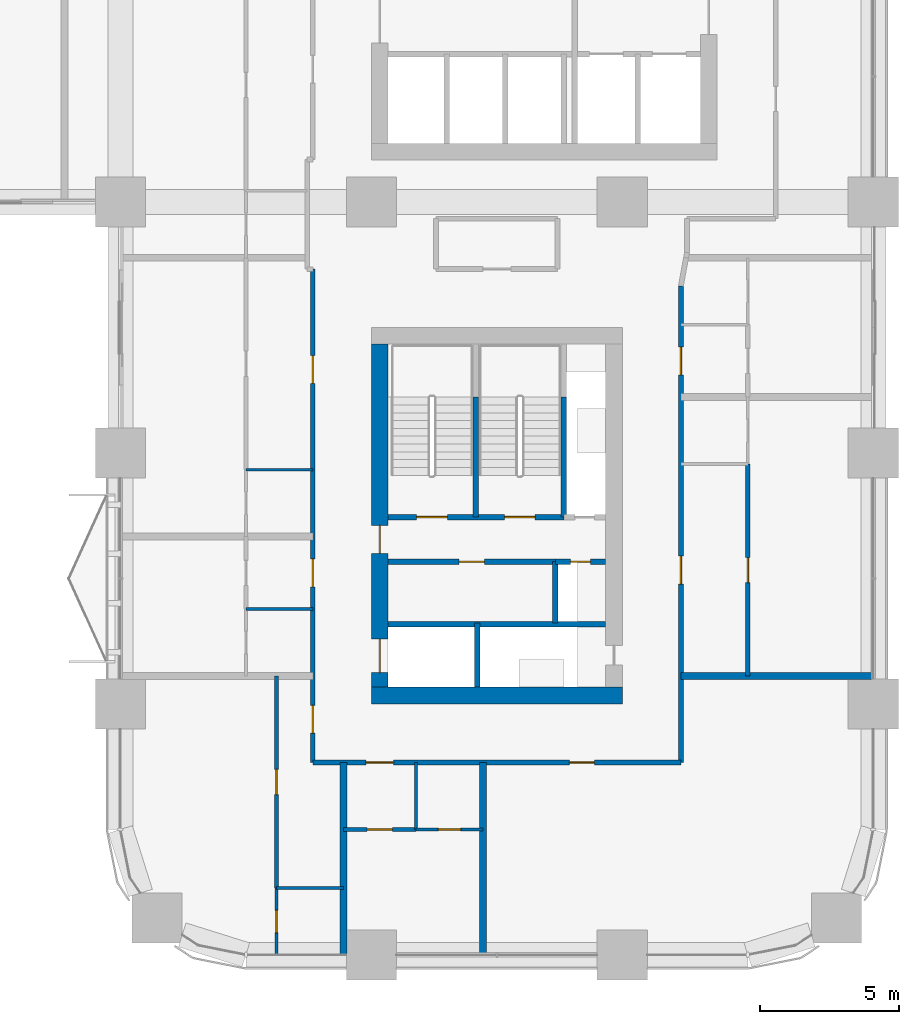
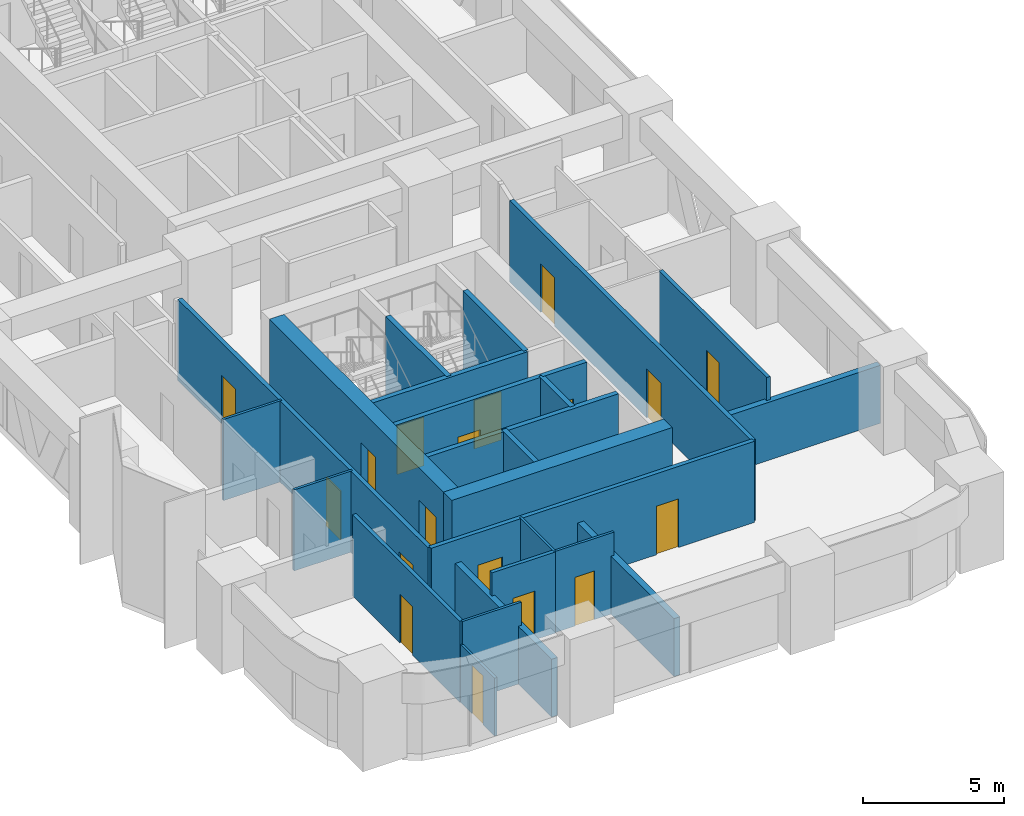
# One storey, part 13 of 19: 25 walls, 18 doors, 18 openings.
"""IFC4 building model written with IfcOpenShell, lengths in metres."""

from ifc_helpers import new_model, si_unit, direction, frame, frame_2d, origin, place, context, subcontext, project, spatial, rectangle, extrude, material, layer, layer_set, type_object, element, fill, save


model = new_model("IFC4")

# Units and contexts
model_context = context("Model", 3, precision=1e-05, world=origin(), true_north=direction((0.0, 1.0)))
body_context = subcontext(model_context, "Body", "Model", "MODEL_VIEW")
ifc_project = project(units=[si_unit("LENGTHUNIT", "METRE"), si_unit("AREAUNIT", "SQUARE_METRE"), si_unit("VOLUMEUNIT", "CUBIC_METRE"), si_unit("PLANEANGLEUNIT", "RADIAN"), si_unit("MASSUNIT", "GRAM", prefix="KILO")], contexts=[model_context])

# Site, building, storey
site_placement = place(None, origin())
site = spatial("IfcSite", under=ifc_project, at=site_placement, CompositionType="ELEMENT")
building_placement = place(site_placement, origin())
building = spatial("IfcBuilding", under=site, at=building_placement, Name="Tessera Arch", CompositionType="ELEMENT")
storey_placement = place(building_placement, frame((0.0, 0.0, 85.39990234375)))
storey = spatial("IfcBuildingStorey", under=building, at=storey_placement, Name="L19", CompositionType="ELEMENT", Elevation=85.39990234375)

# Wall, opening, door
ifc_material_1 = material(Name="Gypsum board on steel stud", Category="steel")
ifc_layer_1 = layer(ifc_material_1, 0.125)
ifc_layer_set_1 = layer_set([ifc_layer_1], Name="Core partition 125 EI 60")
wall_type_1 = type_object("IfcWallType", Name="Core partition 125 EI 60", PredefinedType="PARTITIONING", material=ifc_layer_set_1)
wall_1_placement = place(storey_placement, frame((36.60009765625, 14.10009765625, 0.0), z_axis=(0.0, 0.0, 1.0), x_axis=(1.0, 0.0, 0.0)))
wall_1 = element("IfcWall", 1, at=wall_1_placement, inside=storey, type_object=wall_type_1, Name="L19 C3 partition wall 8", PredefinedType="PARTITIONING", context=body_context, shape_type="SweptSolid", body=[
    extrude(rectangle(XDim=6.0, YDim=0.199951171875, at=frame_2d((3.0, 0.0))), origin(), (0.0, 0.0, 1.0), 3.5),
])
opening_1_placement = place(wall_1_placement, frame((2.550048828125, 0.0, 0.0)))
opening_1 = element("IfcOpeningElement", 2, at=opening_1_placement, cuts=wall_1, Name="Opening L19-C40", PredefinedType="OPENING", context=body_context, shape_type="SweptSolid", body=[
    extrude(rectangle(XDim=0.89990234375, YDim=2.10009765625, at=frame_2d((0.449951171875, 1.050048828125))), frame((0.0, 0.10986328125, 0.0), z_axis=(0.0, -1.0, 0.0), x_axis=(1.0, 0.0, 0.0)), (0.0, 0.0, 1.0), 0.219970703125),
])
ifc_material_2 = material(Name="Steel door leaf", Category="steel")
door_type_1 = type_object("IfcDoorType", Name="Store door FD30S 900 x 2100", OperationType="SINGLE_SWING_LEFT", PredefinedType="DOOR", material=ifc_material_2)
door_1_placement = place(opening_1_placement, origin())
door_1 = element("IfcDoor", 3, at=door_1_placement, inside=storey, type_object=door_type_1, Name="L19 C3 door 8 C40 type D09", OperationType="SINGLE_SWING_LEFT", OverallHeight=2.10009765625, OverallWidth=0.89990234375, PredefinedType="DOOR", context=body_context, shape_type="SweptSolid", body=[
    extrude(rectangle(XDim=0.89990234375, YDim=2.10009765625, at=frame_2d((0.449951171875, 1.050048828125))), frame((0.0, 0.02490234375, 0.0), z_axis=(0.0, -1.0, 0.0), x_axis=(1.0, 0.0, 0.0)), (0.0, 0.0, 1.0), 0.050048828125),
])
fill(opening_1, door_1)

# Wall
ifc_material_3 = material(Name="Concrete C70/85", Category="concrete")
ifc_layer_2 = layer(ifc_material_3, 0.60009765625)
ifc_layer_set_2 = layer_set([ifc_layer_2], Name="Core shell wall 600 C70-85")
wall_type_2 = type_object("IfcWallType", Name="Core shell wall 600 C70-85", PredefinedType="SHEAR", material=ifc_layer_set_2)
wall_2_placement = place(storey_placement, frame((36.0, 9.300048828125, 0.0), z_axis=(0.0, 0.0, 1.0), x_axis=(1.0, 0.0, 0.0)))
element("IfcWall", 4, at=wall_2_placement, inside=storey, type_object=wall_type_2, Name="L19 C3 core wall S", PredefinedType="SHEAR", context=body_context, shape_type="SweptSolid", body=[
    extrude(rectangle(XDim=9.0, YDim=0.60009765625, at=frame_2d((4.5, 0.0))), origin(), (0.0, 0.0, 1.0), 3.5),
])

# Wall, openings, doors
wall_3_placement = place(storey_placement, frame((36.300048828125, 9.60009765625, 0.0), z_axis=(0.0, 0.0, 1.0), x_axis=(0.0, 1.0, 0.0)))
wall_3 = element("IfcWall", 5, at=wall_3_placement, inside=storey, type_object=wall_type_2, Name="L19 C3 core wall W", PredefinedType="SHEAR", context=body_context, shape_type="SweptSolid", body=[
    extrude(rectangle(XDim=12.2998046875, YDim=0.60009765625, at=frame_2d((6.14990234375, 0.0))), origin(), (0.0, 0.0, 1.0), 3.5),
])
opening_2_placement = place(wall_3_placement, frame((0.52490234375, 0.0, 0.0)))
opening_2 = element("IfcOpeningElement", 6, at=opening_2_placement, cuts=wall_3, Name="Opening L19-C33", PredefinedType="OPENING", context=body_context, shape_type="SweptSolid", body=[
    extrude(rectangle(XDim=1.199951171875, YDim=2.10009765625, at=frame_2d((0.60009765625, 1.050048828125))), frame((0.0, 0.31005859375, 0.0), z_axis=(0.0, -1.0, 0.0), x_axis=(1.0, 0.0, 0.0)), (0.0, 0.0, 1.0), 0.6201171875),
])
opening_3_placement = place(wall_3_placement, frame((4.800048828125, 0.0, 0.0)))
opening_3 = element("IfcOpeningElement", 7, at=opening_3_placement, cuts=wall_3, Name="Opening L19-C39", PredefinedType="OPENING", context=body_context, shape_type="SweptSolid", body=[
    extrude(rectangle(XDim=1.0, YDim=2.10009765625, at=frame_2d((0.5, 1.050048828125))), frame((0.0, 0.31005859375, 0.0), z_axis=(0.0, -1.0, 0.0), x_axis=(1.0, 0.0, 0.0)), (0.0, 0.0, 1.0), 0.6201171875),
])
ifc_material_4 = material(Name="Steel door leaf", Category="steel")
door_type_2 = type_object("IfcDoorType", Name="Corridor door FD60 1000 x 2100", OperationType="SINGLE_SWING_LEFT", PredefinedType="DOOR", material=ifc_material_4)
door_2_placement = place(opening_3_placement, origin())
door_2 = element("IfcDoor", 8, at=door_2_placement, inside=storey, type_object=door_type_2, Name="L19 C3 door 7 C39 type D12", OperationType="SINGLE_SWING_LEFT", OverallHeight=2.10009765625, OverallWidth=1.0, PredefinedType="DOOR", context=body_context, shape_type="SweptSolid", body=[
    extrude(rectangle(XDim=1.0, YDim=2.10009765625, at=frame_2d((0.5, 1.050048828125))), frame((0.0, 0.02490234375, 0.0), z_axis=(0.0, -1.0, 0.0), x_axis=(1.0, 0.0, 0.0)), (0.0, 0.0, 1.0), 0.050048828125),
])
fill(opening_3, door_2)
ifc_material_5 = material(Name="Stainless steel AISI 304", Category="steel")
door_type_3 = type_object("IfcDoorType", Name="Sliding landing door 1200 x 2100", OperationType="SLIDING_TO_LEFT", PredefinedType="DOOR", material=ifc_material_5)
door_3_placement = place(opening_2_placement, origin())
door_3 = element("IfcDoor", 9, at=door_3_placement, inside=storey, type_object=door_type_3, Name="L19 SV1 lift landing door C33 type LD", OperationType="SLIDING_TO_LEFT", OverallHeight=2.10009765625, OverallWidth=1.199951171875, PredefinedType="DOOR", context=body_context, shape_type="SweptSolid", body=[
    extrude(rectangle(XDim=1.199951171875, YDim=2.10009765625, at=frame_2d((0.60009765625, 1.050048828125))), frame((0.0, 0.02490234375, 0.0), z_axis=(0.0, -1.0, 0.0), x_axis=(1.0, 0.0, 0.0)), (0.0, 0.0, 1.0), 0.050048828125),
])
fill(opening_2, door_3)

ifc_material_6 = material(Name="Gypsum board on deep steel stud with mineral wool", Category="steel")
ifc_layer_3 = layer(ifc_material_6, 0.175048828125)
ifc_layer_set_3 = layer_set([ifc_layer_3], Name="Corridor wall 175 EI 60")
wall_type_3 = type_object("IfcWallType", Name="Corridor wall 175 EI 60", PredefinedType="PARTITIONING", material=ifc_layer_set_3)
wall_4_placement = place(storey_placement, frame((33.89990234375, 6.89990234375, 0.0), z_axis=(0.0, 0.0, 1.0), x_axis=(1.0, 0.0, 0.0)))
wall_4 = element("IfcWall", 10, at=wall_4_placement, inside=storey, type_object=wall_type_3, Name="L19 partition 1", PredefinedType="PARTITIONING", context=body_context, shape_type="SweptSolid", body=[
    extrude(rectangle(XDim=13.2001953125, YDim=0.175048828125, at=frame_2d((6.60009765625, 0.0))), origin(), (0.0, 0.0, 1.0), 3.5),
])
opening_4_placement = place(wall_4_placement, frame((1.89990234375, 0.0, 0.0)))
opening_4 = element("IfcOpeningElement", 11, at=opening_4_placement, cuts=wall_4, Name="Opening L19-D001", PredefinedType="OPENING", context=body_context, shape_type="SweptSolid", body=[
    extrude(rectangle(XDim=1.0, YDim=2.10009765625, at=frame_2d((0.5, 1.050048828125))), frame((0.0, 0.097412109375, 0.0), z_axis=(0.0, -1.0, 0.0), x_axis=(1.0, 0.0, 0.0)), (0.0, 0.0, 1.0), 0.195068359375),
])
opening_5_placement = place(wall_4_placement, frame((9.199951171875, 0.0, 0.0)))
opening_5 = element("IfcOpeningElement", 12, at=opening_5_placement, cuts=wall_4, Name="Opening L19-D004", PredefinedType="OPENING", context=body_context, shape_type="SweptSolid", body=[
    extrude(rectangle(XDim=0.89990234375, YDim=2.10009765625, at=frame_2d((0.449951171875, 1.050048828125))), frame((0.0, 0.097412109375, 0.0), z_axis=(0.0, -1.0, 0.0), x_axis=(1.0, 0.0, 0.0)), (0.0, 0.0, 1.0), 0.195068359375),
])
ifc_material_7 = material(Name="Fire-rated door leaf")
door_type_4 = type_object("IfcDoorType", Name="Entrance door FD30S 1000 x 2100", OperationType="SINGLE_SWING_LEFT", PredefinedType="DOOR", material=ifc_material_7)
door_4_placement = place(opening_4_placement, origin())
door_4 = element("IfcDoor", 13, at=door_4_placement, inside=storey, type_object=door_type_4, Name="L19 door D001 type D03", OperationType="SINGLE_SWING_RIGHT", OverallHeight=2.10009765625, OverallWidth=1.0, PredefinedType="DOOR", context=body_context, shape_type="SweptSolid", body=[
    extrude(rectangle(XDim=1.0, YDim=2.10009765625, at=frame_2d((0.5, 1.050048828125))), frame((0.0, 0.02490234375, 0.0), z_axis=(0.0, -1.0, 0.0), x_axis=(1.0, 0.0, 0.0)), (0.0, 0.0, 1.0), 0.050048828125),
])
fill(opening_4, door_4)
ifc_material_8 = material(Name="Timber door leaf", Category="wood")
door_type_5 = type_object("IfcDoorType", Name="Room door 900 x 2100", OperationType="SINGLE_SWING_LEFT", PredefinedType="DOOR", material=ifc_material_8)
door_5_placement = place(opening_5_placement, origin())
door_5 = element("IfcDoor", 14, at=door_5_placement, inside=storey, type_object=door_type_5, Name="L19 door D004 type D01", OperationType="SINGLE_SWING_LEFT", OverallHeight=2.10009765625, OverallWidth=0.89990234375, PredefinedType="DOOR", context=body_context, shape_type="SweptSolid", body=[
    extrude(rectangle(XDim=0.89990234375, YDim=2.10009765625, at=frame_2d((0.449951171875, 1.050048828125))), frame((0.0, 0.02490234375, 0.0), z_axis=(0.0, -1.0, 0.0), x_axis=(1.0, 0.0, 0.0)), (0.0, 0.0, 1.0), 0.050048828125),
])
fill(opening_5, door_5)

wall_5_placement = place(storey_placement, frame((33.89990234375, 6.89990234375, 0.0), z_axis=(0.0, 0.0, 1.0), x_axis=(0.0, 1.0, 0.0)))
wall_5 = element("IfcWall", 15, at=wall_5_placement, inside=storey, type_object=wall_type_3, Name="L19 partition 14", PredefinedType="PARTITIONING", context=body_context, shape_type="SweptSolid", body=[
    extrude(rectangle(XDim=17.690185546875, YDim=0.175048828125, at=frame_2d((8.84521484375, 0.0))), origin(), (0.0, 0.0, 1.0), 3.5),
])
opening_6_placement = place(wall_5_placement, frame((1.050048828125, 0.0, 0.0)))
opening_6 = element("IfcOpeningElement", 16, at=opening_6_placement, cuts=wall_5, Name="Opening L19-D005", PredefinedType="OPENING", context=body_context, shape_type="SweptSolid", body=[
    extrude(rectangle(XDim=1.0, YDim=2.10009765625, at=frame_2d((0.5, 1.050048828125))), frame((0.0, 0.097412109375, 0.0), z_axis=(0.0, -1.0, 0.0), x_axis=(1.0, 0.0, 0.0)), (0.0, 0.0, 1.0), 0.195068359375),
])
opening_7_placement = place(wall_5_placement, frame((6.300048828125, 0.0, 0.0)))
opening_7 = element("IfcOpeningElement", 17, at=opening_7_placement, cuts=wall_5, Name="Opening L19-D008", PredefinedType="OPENING", context=body_context, shape_type="SweptSolid", body=[
    extrude(rectangle(XDim=1.0, YDim=2.10009765625, at=frame_2d((0.5, 1.050048828125))), frame((0.0, 0.097412109375, 0.0), z_axis=(0.0, -1.0, 0.0), x_axis=(1.0, 0.0, 0.0)), (0.0, 0.0, 1.0), 0.195068359375),
])
opening_8_placement = place(wall_5_placement, frame((13.594970703125, 0.0, 0.0)))
opening_8 = element("IfcOpeningElement", 18, at=opening_8_placement, cuts=wall_5, Name="Opening L19-D014", PredefinedType="OPENING", context=body_context, shape_type="SweptSolid", body=[
    extrude(rectangle(XDim=1.0, YDim=2.10009765625, at=frame_2d((0.5, 1.050048828125))), frame((0.0, 0.097412109375, 0.0), z_axis=(0.0, -1.0, 0.0), x_axis=(1.0, 0.0, 0.0)), (0.0, 0.0, 1.0), 0.195068359375),
])
door_6_placement = place(opening_6_placement, origin())
door_6 = element("IfcDoor", 19, at=door_6_placement, inside=storey, type_object=door_type_4, Name="L19 door D005 type D03", OperationType="SINGLE_SWING_LEFT", OverallHeight=2.10009765625, OverallWidth=1.0, PredefinedType="DOOR", context=body_context, shape_type="SweptSolid", body=[
    extrude(rectangle(XDim=1.0, YDim=2.10009765625, at=frame_2d((0.5, 1.050048828125))), frame((0.0, 0.02490234375, 0.0), z_axis=(0.0, -1.0, 0.0), x_axis=(1.0, 0.0, 0.0)), (0.0, 0.0, 1.0), 0.050048828125),
])
fill(opening_6, door_6)
door_7_placement = place(opening_7_placement, origin())
door_7 = element("IfcDoor", 20, at=door_7_placement, inside=storey, type_object=door_type_4, Name="L19 door D008 type D03", OperationType="SINGLE_SWING_RIGHT", OverallHeight=2.10009765625, OverallWidth=1.0, PredefinedType="DOOR", context=body_context, shape_type="SweptSolid", body=[
    extrude(rectangle(XDim=1.0, YDim=2.10009765625, at=frame_2d((0.5, 1.050048828125))), frame((0.0, 0.02490234375, 0.0), z_axis=(0.0, -1.0, 0.0), x_axis=(1.0, 0.0, 0.0)), (0.0, 0.0, 1.0), 0.050048828125),
])
fill(opening_7, door_7)
door_8_placement = place(opening_8_placement, origin())
door_8 = element("IfcDoor", 21, at=door_8_placement, inside=storey, type_object=door_type_4, Name="L19 door D014 type D03", OperationType="SINGLE_SWING_RIGHT", OverallHeight=2.10009765625, OverallWidth=1.0, PredefinedType="DOOR", context=body_context, shape_type="SweptSolid", body=[
    extrude(rectangle(XDim=1.0, YDim=2.10009765625, at=frame_2d((0.5, 1.050048828125))), frame((0.0, 0.02490234375, 0.0), z_axis=(0.0, -1.0, 0.0), x_axis=(1.0, 0.0, 0.0)), (0.0, 0.0, 1.0), 0.050048828125),
])
fill(opening_8, door_8)

wall_6_placement = place(storey_placement, frame((47.10009765625, 6.89990234375, 0.0), z_axis=(0.0, 0.0, 1.0), x_axis=(0.0, 1.0, 0.0)))
wall_6 = element("IfcWall", 22, at=wall_6_placement, inside=storey, type_object=wall_type_3, Name="L19 partition 18", PredefinedType="PARTITIONING", context=body_context, shape_type="SweptSolid", body=[
    extrude(rectangle(XDim=17.090087890625, YDim=0.175048828125, at=frame_2d((8.544921875, 0.0))), origin(), (0.0, 0.0, 1.0), 3.5),
])
opening_9_placement = place(wall_6_placement, frame((6.39990234375, 0.0, 0.0)))
opening_9 = element("IfcOpeningElement", 23, at=opening_9_placement, cuts=wall_6, Name="Opening L19-D011", PredefinedType="OPENING", context=body_context, shape_type="SweptSolid", body=[
    extrude(rectangle(XDim=1.0, YDim=2.10009765625, at=frame_2d((0.5, 1.050048828125))), frame((0.0, 0.097412109375, 0.0), z_axis=(0.0, -1.0, 0.0), x_axis=(1.0, 0.0, 0.0)), (0.0, 0.0, 1.0), 0.195068359375),
])
opening_10_placement = place(wall_6_placement, frame((13.89990234375, 0.0, 0.0)))
opening_10 = element("IfcOpeningElement", 24, at=opening_10_placement, cuts=wall_6, Name="Opening L19-D017", PredefinedType="OPENING", context=body_context, shape_type="SweptSolid", body=[
    extrude(rectangle(XDim=1.0, YDim=2.10009765625, at=frame_2d((0.5, 1.050048828125))), frame((0.0, 0.097412109375, 0.0), z_axis=(0.0, -1.0, 0.0), x_axis=(1.0, 0.0, 0.0)), (0.0, 0.0, 1.0), 0.195068359375),
])
door_9_placement = place(opening_9_placement, origin())
door_9 = element("IfcDoor", 25, at=door_9_placement, inside=storey, type_object=door_type_4, Name="L19 door D011 type D03", OperationType="SINGLE_SWING_RIGHT", OverallHeight=2.10009765625, OverallWidth=1.0, PredefinedType="DOOR", context=body_context, shape_type="SweptSolid", body=[
    extrude(rectangle(XDim=1.0, YDim=2.10009765625, at=frame_2d((0.5, 1.050048828125))), frame((0.0, 0.02490234375, 0.0), z_axis=(0.0, -1.0, 0.0), x_axis=(1.0, 0.0, 0.0)), (0.0, 0.0, 1.0), 0.050048828125),
])
fill(opening_9, door_9)
door_10_placement = place(opening_10_placement, origin())
door_10 = element("IfcDoor", 26, at=door_10_placement, inside=storey, type_object=door_type_4, Name="L19 door D017 type D03", OperationType="SINGLE_SWING_RIGHT", OverallHeight=2.10009765625, OverallWidth=1.0, PredefinedType="DOOR", context=body_context, shape_type="SweptSolid", body=[
    extrude(rectangle(XDim=1.0, YDim=2.10009765625, at=frame_2d((0.5, 1.050048828125))), frame((0.0, 0.02490234375, 0.0), z_axis=(0.0, -1.0, 0.0), x_axis=(1.0, 0.0, 0.0)), (0.0, 0.0, 1.0), 0.050048828125),
])
fill(opening_10, door_10)

# Wall, opening, door
ifc_material_9 = material(Name="Gypsum board on steel stud", Category="steel")
ifc_layer_4 = layer(ifc_material_9, 0.14990234375)
ifc_layer_set_4 = layer_set([ifc_layer_4], Name="Partition 150")
wall_type_4 = type_object("IfcWallType", Name="Partition 150", PredefinedType="PARTITIONING", material=ifc_layer_set_4)
wall_7_placement = place(storey_placement, frame((35.0, 4.5, 0.0), z_axis=(0.0, 0.0, 1.0), x_axis=(1.0, 0.0, 0.0)))
wall_7 = element("IfcWall", 27, at=wall_7_placement, inside=storey, type_object=wall_type_4, Name="L19 partition 21", PredefinedType="PARTITIONING", context=body_context, shape_type="SweptSolid", body=[
    extrude(rectangle(XDim=2.60009765625, YDim=0.14990234375, at=frame_2d((1.300048828125, 0.0))), origin(), (0.0, 0.0, 1.0), 3.5),
])
opening_11_placement = place(wall_7_placement, frame((0.85009765625, 0.0, 0.0)))
opening_11 = element("IfcOpeningElement", 28, at=opening_11_placement, cuts=wall_7, Name="Opening L19-D002", PredefinedType="OPENING", context=body_context, shape_type="SweptSolid", body=[
    extrude(rectangle(XDim=0.89990234375, YDim=2.10009765625, at=frame_2d((0.449951171875, 1.050048828125))), frame((0.0, 0.0849609375, 0.0), z_axis=(0.0, -1.0, 0.0), x_axis=(1.0, 0.0, 0.0)), (0.0, 0.0, 1.0), 0.169921875),
])
door_11_placement = place(opening_11_placement, origin())
door_11 = element("IfcDoor", 29, at=door_11_placement, inside=storey, type_object=door_type_5, Name="L19 door D002 type D01", OperationType="SINGLE_SWING_LEFT", OverallHeight=2.10009765625, OverallWidth=0.89990234375, PredefinedType="DOOR", context=body_context, shape_type="SweptSolid", body=[
    extrude(rectangle(XDim=0.89990234375, YDim=2.10009765625, at=frame_2d((0.449951171875, 1.050048828125))), frame((0.0, 0.02490234375, 0.0), z_axis=(0.0, -1.0, 0.0), x_axis=(1.0, 0.0, 0.0)), (0.0, 0.0, 1.0), 0.050048828125),
])
fill(opening_11, door_11)

wall_8_placement = place(storey_placement, frame((32.60009765625, 2.39990234375, 0.0), z_axis=(0.0, 0.0, 1.0), x_axis=(0.0, 1.0, 0.0)))
wall_8 = element("IfcWall", 30, at=wall_8_placement, inside=storey, type_object=wall_type_4, Name="L19 partition 25", PredefinedType="PARTITIONING", context=body_context, shape_type="SweptSolid", body=[
    extrude(rectangle(XDim=7.60009765625, YDim=0.14990234375, at=frame_2d((3.800048828125, 0.0))), origin(), (0.0, 0.0, 1.0), 3.5),
])
opening_12_placement = place(wall_8_placement, frame((3.35009765625, 0.0, 0.0)))
opening_12 = element("IfcOpeningElement", 31, at=opening_12_placement, cuts=wall_8, Name="Opening L19-D006", PredefinedType="OPENING", context=body_context, shape_type="SweptSolid", body=[
    extrude(rectangle(XDim=0.89990234375, YDim=2.10009765625, at=frame_2d((0.449951171875, 1.050048828125))), frame((0.0, 0.0849609375, 0.0), z_axis=(0.0, -1.0, 0.0), x_axis=(1.0, 0.0, 0.0)), (0.0, 0.0, 1.0), 0.169921875),
])
door_12_placement = place(opening_12_placement, origin())
door_12 = element("IfcDoor", 32, at=door_12_placement, inside=storey, type_object=door_type_5, Name="L19 door D006 type D01", OperationType="SINGLE_SWING_RIGHT", OverallHeight=2.10009765625, OverallWidth=0.89990234375, PredefinedType="DOOR", context=body_context, shape_type="SweptSolid", body=[
    extrude(rectangle(XDim=0.89990234375, YDim=2.10009765625, at=frame_2d((0.449951171875, 1.050048828125))), frame((0.0, 0.02490234375, 0.0), z_axis=(0.0, -1.0, 0.0), x_axis=(1.0, 0.0, 0.0)), (0.0, 0.0, 1.0), 0.050048828125),
])
fill(opening_12, door_12)

wall_9_placement = place(storey_placement, frame((49.5, 10.0, 0.0), z_axis=(0.0, 0.0, 1.0), x_axis=(0.0, 1.0, 0.0)))
wall_9 = element("IfcWall", 33, at=wall_9_placement, inside=storey, type_object=wall_type_4, Name="L19 partition 26", PredefinedType="PARTITIONING", context=body_context, shape_type="SweptSolid", body=[
    extrude(rectangle(XDim=7.60009765625, YDim=0.14990234375, at=frame_2d((3.800048828125, 0.0))), origin(), (0.0, 0.0, 1.0), 3.5),
])
opening_13_placement = place(wall_9_placement, frame((3.35009765625, 0.0, 0.0)))
opening_13 = element("IfcOpeningElement", 34, at=opening_13_placement, cuts=wall_9, Name="Opening L19-D012", PredefinedType="OPENING", context=body_context, shape_type="SweptSolid", body=[
    extrude(rectangle(XDim=0.89990234375, YDim=2.10009765625, at=frame_2d((0.449951171875, 1.050048828125))), frame((0.0, 0.0849609375, 0.0), z_axis=(0.0, -1.0, 0.0), x_axis=(1.0, 0.0, 0.0)), (0.0, 0.0, 1.0), 0.169921875),
])
door_13_placement = place(opening_13_placement, origin())
door_13 = element("IfcDoor", 35, at=door_13_placement, inside=storey, type_object=door_type_5, Name="L19 door D012 type D01", OperationType="SINGLE_SWING_LEFT", OverallHeight=2.10009765625, OverallWidth=0.89990234375, PredefinedType="DOOR", context=body_context, shape_type="SweptSolid", body=[
    extrude(rectangle(XDim=0.89990234375, YDim=2.10009765625, at=frame_2d((0.449951171875, 1.050048828125))), frame((0.0, 0.02490234375, 0.0), z_axis=(0.0, -1.0, 0.0), x_axis=(1.0, 0.0, 0.0)), (0.0, 0.0, 1.0), 0.050048828125),
])
fill(opening_13, door_13)

# Walls
ifc_material_10 = material(Name="Double gypsum board on twin steel stud with acoustic mineral wool", Category="steel")
ifc_layer_5 = layer(ifc_material_10, 0.25)
ifc_layer_set_5 = layer_set([ifc_layer_5], Name="Party wall 250 EI 60")
wall_type_5 = type_object("IfcWallType", Name="Party wall 250 EI 60", PredefinedType="PARTITIONING", material=ifc_layer_set_5)
for number, where, z_axis, x_axis, name in (
    (36, (47.10009765625, 10.0, 0.0), (0.0, 0.0, 1.0), (1.0, 0.0, 0.0), "L19 partition 29"),
    (37, (35.0, 0.0, 0.0), (0.0, 0.0, 1.0), (0.0, 1.0, 0.0), "L19 partition 48"),
    (38, (40.0, 0.0, 0.0), (0.0, 0.0, 1.0), (0.0, 1.0, 0.0), "L19 partition 49"),
):
    element("IfcWall", number, at=place(storey_placement, frame(where, z_axis=z_axis, x_axis=x_axis)), inside=storey, type_object=wall_type_5, Name=name, PredefinedType="PARTITIONING", context=body_context, shape_type="SweptSolid", body=[
        extrude(rectangle(XDim=6.89990234375, YDim=0.25, at=frame_2d((3.449951171875, 0.0))), origin(), (0.0, 0.0, 1.0), 2.5),
    ])
ifc_material_11 = material(Name="Concrete C40/50", Category="concrete")
ifc_layer_6 = layer(ifc_material_11, 0.199951171875)
ifc_layer_set_6 = layer_set([ifc_layer_6], Name="Shaft wall 200 EI 120")
wall_type_6 = type_object("IfcWallType", Name="Shaft wall 200 EI 120", PredefinedType="SOLIDWALL", material=ifc_layer_set_6)
wall_10_placement = place(storey_placement, frame((39.800048828125, 9.60009765625, 0.0), z_axis=(0.0, 0.0, 1.0), x_axis=(0.0, 1.0, 0.0)))
element("IfcWall", 39, at=wall_10_placement, inside=storey, type_object=wall_type_6, Name="L19 C3 shaft wall 3", PredefinedType="SOLIDWALL", context=body_context, shape_type="SweptSolid", body=[
    extrude(rectangle(XDim=2.2998046875, YDim=0.199951171875, at=frame_2d((1.14990234375, 0.0))), origin(), (0.0, 0.0, 1.0), 3.5),
])
wall_11_placement = place(storey_placement, frame((42.60009765625, 11.89990234375, 0.0), z_axis=(0.0, 0.0, 1.0), x_axis=(0.0, 1.0, 0.0)))
element("IfcWall", 40, at=wall_11_placement, inside=storey, type_object=wall_type_6, Name="L19 C3 shaft wall 4", PredefinedType="SOLIDWALL", context=body_context, shape_type="SweptSolid", body=[
    extrude(rectangle(XDim=2.2001953125, YDim=0.199951171875, at=frame_2d((1.10009765625, 0.0))), origin(), (0.0, 0.0, 1.0), 3.5),
])
wall_12_placement = place(storey_placement, frame((36.60009765625, 11.85009765625, 0.0), z_axis=(0.0, 0.0, 1.0), x_axis=(1.0, 0.0, 0.0)))
element("IfcWall", 41, at=wall_12_placement, inside=storey, type_object=wall_type_6, Name="L19 C3 shaft wall 7", PredefinedType="SOLIDWALL", context=body_context, shape_type="SweptSolid", body=[
    extrude(rectangle(XDim=7.7998046875, YDim=0.199951171875, at=frame_2d((3.89990234375, 0.0))), origin(), (0.0, 0.0, 1.0), 3.5),
])

# Wall, opening, door
wall_13_placement = place(storey_placement, frame((42.60009765625, 14.10009765625, 0.0), z_axis=(0.0, 0.0, 1.0), x_axis=(1.0, 0.0, 0.0)))
wall_13 = element("IfcWall", 42, at=wall_13_placement, inside=storey, type_object=wall_type_6, Name="L19 C3 shaft wall 9", PredefinedType="SOLIDWALL", context=body_context, shape_type="SweptSolid", body=[
    extrude(rectangle(XDim=1.7998046875, YDim=0.199951171875, at=frame_2d((0.89990234375, 0.0))), origin(), (0.0, 0.0, 1.0), 3.5),
])
opening_14_placement = place(wall_13_placement, frame((0.550048828125, 0.0, 0.0)))
opening_14 = element("IfcOpeningElement", 43, at=opening_14_placement, cuts=wall_13, Name="Opening L19-C37", PredefinedType="OPENING", context=body_context, shape_type="SweptSolid", body=[
    extrude(rectangle(XDim=0.699951171875, YDim=2.10009765625, at=frame_2d((0.35009765625, 1.050048828125))), frame((0.0, 0.10986328125, 0.0), z_axis=(0.0, -1.0, 0.0), x_axis=(1.0, 0.0, 0.0)), (0.0, 0.0, 1.0), 0.219970703125),
])
ifc_material_12 = material(Name="Steel door leaf", Category="steel")
door_type_6 = type_object("IfcDoorType", Name="Service shaft door FD60 700 x 2100", OperationType="SINGLE_SWING_LEFT", PredefinedType="DOOR", material=ifc_material_12)
door_14_placement = place(opening_14_placement, origin())
door_14 = element("IfcDoor", 44, at=door_14_placement, inside=storey, type_object=door_type_6, Name="L19 C3 door 5 C37 type D07", OperationType="SINGLE_SWING_RIGHT", OverallHeight=2.10009765625, OverallWidth=0.699951171875, PredefinedType="DOOR", context=body_context, shape_type="SweptSolid", body=[
    extrude(rectangle(XDim=0.699951171875, YDim=2.10009765625, at=frame_2d((0.35009765625, 1.050048828125))), frame((0.0, 0.02490234375, 0.0), z_axis=(0.0, -1.0, 0.0), x_axis=(1.0, 0.0, 0.0)), (0.0, 0.0, 1.0), 0.050048828125),
])
fill(opening_14, door_14)

# Walls
ifc_material_13 = material(Name="Concrete C40/50", Category="concrete")
ifc_layer_7 = layer(ifc_material_13, 0.199951171875)
ifc_layer_set_7 = layer_set([ifc_layer_7], Name="Stair well wall 200 REI 180")
wall_type_7 = type_object("IfcWallType", Name="Stair well wall 200 REI 180", PredefinedType="SOLIDWALL", material=ifc_layer_set_7)
for number, where, z_axis, x_axis, name in (
    (45, (39.75, 15.699951171875, 0.0), (0.0, 0.0, 1.0), (0.0, 1.0, 0.0), "L19 C3 shaft wall 1"),
    (46, (42.89990234375, 15.699951171875, 0.0), (0.0, 0.0, 1.0), (0.0, 1.0, 0.0), "L19 C3 shaft wall 5"),
):
    element("IfcWall", number, at=place(storey_placement, frame(where, z_axis=z_axis, x_axis=x_axis)), inside=storey, type_object=wall_type_7, Name=name, PredefinedType="SOLIDWALL", context=body_context, shape_type="SweptSolid", body=[
        extrude(rectangle(XDim=4.300048828125, YDim=0.199951171875, at=frame_2d((2.14990234375, 0.0))), origin(), (0.0, 0.0, 1.0), 3.5),
    ])

# Wall, openings, doors
wall_14_placement = place(storey_placement, frame((36.60009765625, 15.699951171875, 0.0), z_axis=(0.0, 0.0, 1.0), x_axis=(1.0, 0.0, 0.0)))
wall_14 = element("IfcWall", 47, at=wall_14_placement, inside=storey, type_object=wall_type_7, Name="L19 C3 shaft wall 11", PredefinedType="SOLIDWALL", context=body_context, shape_type="SweptSolid", body=[
    extrude(rectangle(XDim=6.2998046875, YDim=0.199951171875, at=frame_2d((3.14990234375, 0.0))), origin(), (0.0, 0.0, 1.0), 3.5),
])
opening_15_placement = place(wall_14_placement, frame((1.02490234375, 0.0, 0.0)))
opening_15 = element("IfcOpeningElement", 48, at=opening_15_placement, cuts=wall_14, Name="Opening L19-C34", PredefinedType="OPENING", context=body_context, shape_type="SweptSolid", body=[
    extrude(rectangle(XDim=1.10009765625, YDim=2.10009765625, at=frame_2d((0.550048828125, 1.050048828125))), frame((0.0, 0.10986328125, 0.0), z_axis=(0.0, -1.0, 0.0), x_axis=(1.0, 0.0, 0.0)), (0.0, 0.0, 1.0), 0.219970703125),
])
opening_16_placement = place(wall_14_placement, frame((4.175048828125, 0.0, 0.0)))
opening_16 = element("IfcOpeningElement", 49, at=opening_16_placement, cuts=wall_14, Name="Opening L19-C35", PredefinedType="OPENING", context=body_context, shape_type="SweptSolid", body=[
    extrude(rectangle(XDim=1.10009765625, YDim=2.10009765625, at=frame_2d((0.550048828125, 1.050048828125))), frame((0.0, 0.10986328125, 0.0), z_axis=(0.0, -1.0, 0.0), x_axis=(1.0, 0.0, 0.0)), (0.0, 0.0, 1.0), 0.219970703125),
])
ifc_material_14 = material(Name="Steel door leaf", Category="steel")
door_type_7 = type_object("IfcDoorType", Name="Stair door FD60 1100 x 2100", OperationType="SINGLE_SWING_LEFT", PredefinedType="DOOR", material=ifc_material_14)
door_15_placement = place(opening_15_placement, origin())
door_15 = element("IfcDoor", 50, at=door_15_placement, inside=storey, type_object=door_type_7, Name="L19 C3 door 2 C34 type D05", OperationType="SINGLE_SWING_LEFT", OverallHeight=2.10009765625, OverallWidth=1.10009765625, PredefinedType="DOOR", context=body_context, shape_type="SweptSolid", body=[
    extrude(rectangle(XDim=1.10009765625, YDim=2.10009765625, at=frame_2d((0.550048828125, 1.050048828125))), frame((0.0, 0.02490234375, 0.0), z_axis=(0.0, -1.0, 0.0), x_axis=(1.0, 0.0, 0.0)), (0.0, 0.0, 1.0), 0.050048828125),
])
fill(opening_15, door_15)
door_16_placement = place(opening_16_placement, origin())
door_16 = element("IfcDoor", 51, at=door_16_placement, inside=storey, type_object=door_type_7, Name="L19 C3 door 3 C35 type D05", OperationType="SINGLE_SWING_RIGHT", OverallHeight=2.10009765625, OverallWidth=1.10009765625, PredefinedType="DOOR", context=body_context, shape_type="SweptSolid", body=[
    extrude(rectangle(XDim=1.10009765625, YDim=2.10009765625, at=frame_2d((0.550048828125, 1.050048828125))), frame((0.0, 0.02490234375, 0.0), z_axis=(0.0, -1.0, 0.0), x_axis=(1.0, 0.0, 0.0)), (0.0, 0.0, 1.0), 0.050048828125),
])
fill(opening_16, door_16)

# Wall
ifc_material_15 = material(Name="Moisture-resistant board on pre-plumbed steel stud", Category="steel")
ifc_layer_8 = layer(ifc_material_15, 0.10009765625)
ifc_layer_set_8 = layer_set([ifc_layer_8], Name="Wet wall 100")
wall_type_8 = type_object("IfcWallType", Name="Wet wall 100", PredefinedType="PARTITIONING", material=ifc_layer_set_8)
wall_15_placement = place(storey_placement, frame((32.60009765625, 2.39990234375, 0.0), z_axis=(0.0, 0.0, 1.0), x_axis=(1.0, 0.0, 0.0)))
element("IfcWall", 52, at=wall_15_placement, inside=storey, type_object=wall_type_8, Name="L19 partition 51", PredefinedType="PARTITIONING", context=body_context, shape_type="SweptSolid", body=[
    extrude(rectangle(XDim=2.39990234375, YDim=0.10009765625, at=frame_2d((1.199951171875, 0.0))), origin(), (0.0, 0.0, 1.0), 3.5),
])

# Wall, opening, door
wall_16_placement = place(storey_placement, frame((37.60009765625, 4.5, 0.0), z_axis=(0.0, 0.0, 1.0), x_axis=(1.0, 0.0, 0.0)))
wall_16 = element("IfcWall", 53, at=wall_16_placement, inside=storey, type_object=wall_type_8, Name="L19 partition 52", PredefinedType="PARTITIONING", context=body_context, shape_type="SweptSolid", body=[
    extrude(rectangle(XDim=2.39990234375, YDim=0.10009765625, at=frame_2d((1.199951171875, 0.0))), origin(), (0.0, 0.0, 1.0), 3.5),
])
opening_17_placement = place(wall_16_placement, frame((0.800048828125, 0.0, 0.0)))
opening_17 = element("IfcOpeningElement", 54, at=opening_17_placement, cuts=wall_16, Name="Opening L19-D003", PredefinedType="OPENING", context=body_context, shape_type="SweptSolid", body=[
    extrude(rectangle(XDim=0.800048828125, YDim=2.10009765625, at=frame_2d((0.39990234375, 1.050048828125))), frame((0.0, 0.06005859375, 0.0), z_axis=(0.0, -1.0, 0.0), x_axis=(1.0, 0.0, 0.0)), (0.0, 0.0, 1.0), 0.1201171875),
])
ifc_material_16 = material(Name="Timber door leaf", Category="wood")
door_type_8 = type_object("IfcDoorType", Name="En-suite door 800 x 2100", OperationType="SINGLE_SWING_LEFT", PredefinedType="DOOR", material=ifc_material_16)
door_17_placement = place(opening_17_placement, origin())
door_17 = element("IfcDoor", 55, at=door_17_placement, inside=storey, type_object=door_type_8, Name="L19 door D003 type D02", OperationType="SINGLE_SWING_RIGHT", OverallHeight=2.10009765625, OverallWidth=0.800048828125, PredefinedType="DOOR", context=body_context, shape_type="SweptSolid", body=[
    extrude(rectangle(XDim=0.800048828125, YDim=2.10009765625, at=frame_2d((0.39990234375, 1.050048828125))), frame((0.0, 0.02490234375, 0.0), z_axis=(0.0, -1.0, 0.0), x_axis=(1.0, 0.0, 0.0)), (0.0, 0.0, 1.0), 0.050048828125),
])
fill(opening_17, door_17)

# Walls
for number, where, z_axis, x_axis, name in (
    (56, (31.5, 12.39990234375, 0.0), (0.0, 0.0, 1.0), (1.0, 0.0, 0.0), "L19 partition 53"),
    (57, (31.5, 17.39990234375, 0.0), (0.0, 0.0, 1.0), (1.0, 0.0, 0.0), "L19 partition 54"),
):
    element("IfcWall", number, at=place(storey_placement, frame(where, z_axis=z_axis, x_axis=x_axis)), inside=storey, type_object=wall_type_8, Name=name, PredefinedType="PARTITIONING", context=body_context, shape_type="SweptSolid", body=[
        extrude(rectangle(XDim=2.39990234375, YDim=0.10009765625, at=frame_2d((1.199951171875, 0.0))), origin(), (0.0, 0.0, 1.0), 3.5),
    ])

# Wall, opening, door
wall_17_placement = place(storey_placement, frame((32.60009765625, 0.0, 0.0), z_axis=(0.0, 0.0, 1.0), x_axis=(0.0, 1.0, 0.0)))
wall_17 = element("IfcWall", 58, at=wall_17_placement, inside=storey, type_object=wall_type_8, Name="L19 partition 61", PredefinedType="PARTITIONING", context=body_context, shape_type="SweptSolid", body=[
    extrude(rectangle(XDim=2.39990234375, YDim=0.10009765625, at=frame_2d((1.199951171875, 0.0))), origin(), (0.0, 0.0, 1.0), 2.5),
])
opening_18_placement = place(wall_17_placement, frame((0.800048828125, 0.0, 0.0)))
opening_18 = element("IfcOpeningElement", 59, at=opening_18_placement, cuts=wall_17, Name="Opening L19-D007", PredefinedType="OPENING", context=body_context, shape_type="SweptSolid", body=[
    extrude(rectangle(XDim=0.800048828125, YDim=2.10009765625, at=frame_2d((0.39990234375, 1.050048828125))), frame((0.0, 0.06005859375, 0.0), z_axis=(0.0, -1.0, 0.0), x_axis=(1.0, 0.0, 0.0)), (0.0, 0.0, 1.0), 0.1201171875),
])
door_18_placement = place(opening_18_placement, origin())
door_18 = element("IfcDoor", 60, at=door_18_placement, inside=storey, type_object=door_type_8, Name="L19 door D007 type D02", OperationType="SINGLE_SWING_LEFT", OverallHeight=2.10009765625, OverallWidth=0.800048828125, PredefinedType="DOOR", context=body_context, shape_type="SweptSolid", body=[
    extrude(rectangle(XDim=0.800048828125, YDim=2.10009765625, at=frame_2d((0.39990234375, 1.050048828125))), frame((0.0, 0.02490234375, 0.0), z_axis=(0.0, -1.0, 0.0), x_axis=(1.0, 0.0, 0.0)), (0.0, 0.0, 1.0), 0.050048828125),
])
fill(opening_18, door_18)

# Wall
wall_18_placement = place(storey_placement, frame((37.60009765625, 4.5, 0.0), z_axis=(0.0, 0.0, 1.0), x_axis=(0.0, 1.0, 0.0)))
element("IfcWall", 61, at=wall_18_placement, inside=storey, type_object=wall_type_8, Name="L19 partition 62", PredefinedType="PARTITIONING", context=body_context, shape_type="SweptSolid", body=[
    extrude(rectangle(XDim=2.39990234375, YDim=0.10009765625, at=frame_2d((1.199951171875, 0.0))), origin(), (0.0, 0.0, 1.0), 3.5),
])

save(model, "model.ifc")
